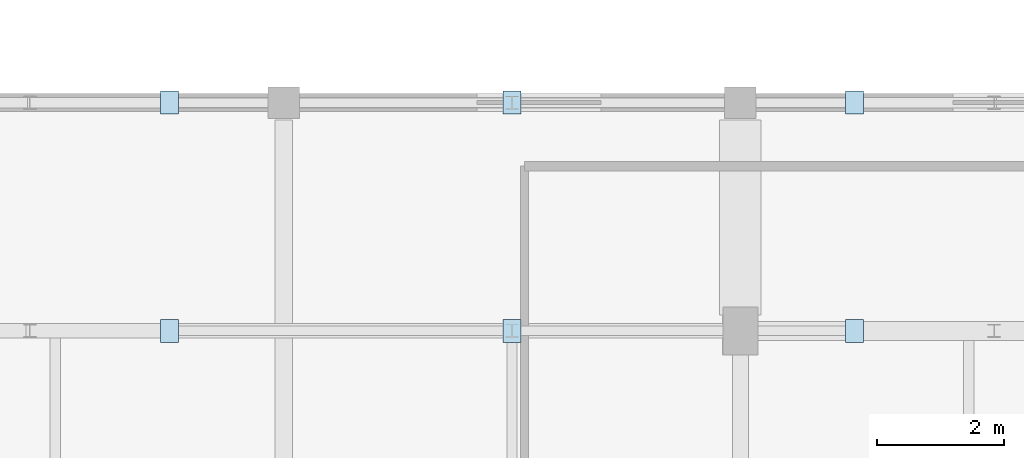
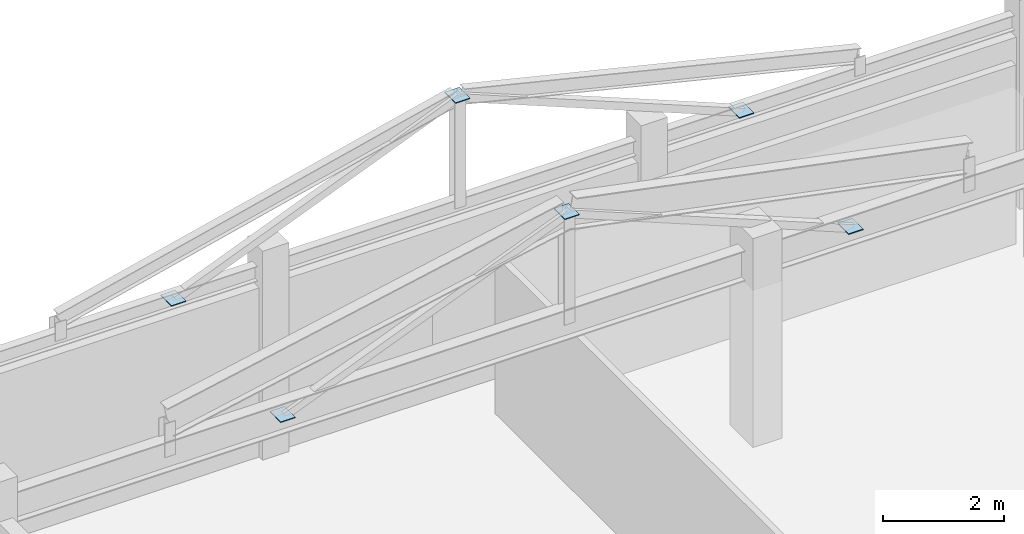
# One storey, part 67 of 90: 6 plates.
"""IFC4 building model written with IfcOpenShell, lengths in metres."""

from ifc_helpers import new_model, si_unit, direction, frame, origin, origin_2d, place, context, subcontext, project, spatial, rectangle, extrude, material, layer, layer_set, type_object, element, save


model = new_model("IFC4")

# Units and contexts
model_context = context("Model", 3, precision=1e-05, world=origin(), true_north=direction((0.0, 1.0)))
body_context = subcontext(model_context, "Body", "Model", "MODEL_VIEW")
ifc_project = project(units=[si_unit("LENGTHUNIT", "METRE"), si_unit("AREAUNIT", "SQUARE_METRE"), si_unit("VOLUMEUNIT", "CUBIC_METRE"), si_unit("PLANEANGLEUNIT", "RADIAN"), si_unit("MASSUNIT", "GRAM", prefix="KILO")], contexts=[model_context])

# Site, building, storey
site_placement = place(None, origin())
site = spatial("IfcSite", under=ifc_project, at=site_placement, CompositionType="ELEMENT")
building_placement = place(site_placement, origin())
building = spatial("IfcBuilding", under=site, at=building_placement, Name="Solanera Park Tramway Depot", CompositionType="ELEMENT")
storey_placement = place(building_placement, frame((0.0, 0.0, 9.0)))
storey = spatial("IfcBuildingStorey", under=building, at=storey_placement, Name="L02", CompositionType="ELEMENT", Elevation=9.0)

# Plates
ifc_material = material(Name="Steel AS/NZS 3679.1 Grade 350", Category="steel")
ifc_layer = layer(ifc_material, 0.01806640625)
ifc_layer_set = layer_set([ifc_layer], Name="Steel AS/NZS 3679.1 Grade 350")
plate_type = type_object("IfcPlateType", Name="Hollow End Cap and Base Plate 360x280x18", PredefinedType="USERDEFINED", material=ifc_layer_set)
for number, where, z_axis, x_axis, name in (
    (1, (171.0, 82.800048828125, 3.485107421875), (0.0, 0.0, 1.0), (1.0, 0.0, 0.0), "Hip Truss Web Sealed Cap Plate #1155"),
    (2, (176.39990234375, 82.800048828125, 5.672607421875), (0.0, 0.0, 1.0), (1.0, 0.0, 0.0), "Hip Truss Web Sealed Cap Plate #1156"),
    (3, (181.800048828125, 82.800048828125, 3.485107421875), (0.0, 0.0, 1.0), (1.0, 0.0, 0.0), "Hip Truss Web Sealed Cap Plate #1157"),
    (4, (171.0, 86.39990234375, 3.63916015625), (0.0, 0.0, 1.0), (1.0, 0.0, 0.0), "Hip Truss Web Sealed Cap Plate #1158"),
    (5, (176.39990234375, 86.39990234375, 5.826416015625), (0.0, 0.0, 1.0), (1.0, 0.0, 0.0), "Hip Truss Web Sealed Cap Plate #1159"),
    (6, (181.800048828125, 86.39990234375, 3.63916015625), (0.0, 0.0, 1.0), (1.0, 0.0, 0.0), "Hip Truss Web Sealed Cap Plate #1160"),
):
    element("IfcPlate", number, at=place(storey_placement, frame(where, z_axis=z_axis, x_axis=x_axis)), inside=storey, type_object=plate_type, Name=name, ObjectType="BASE PLATE", PredefinedType="USERDEFINED", context=body_context, shape_type="SweptSolid", body=[
        extrude(rectangle(XDim=0.280029296875, YDim=0.360107421875, at=origin_2d()), origin(), (0.0, 0.0, 1.0), 0.01806640625),
    ])

save(model, "model.ifc")
